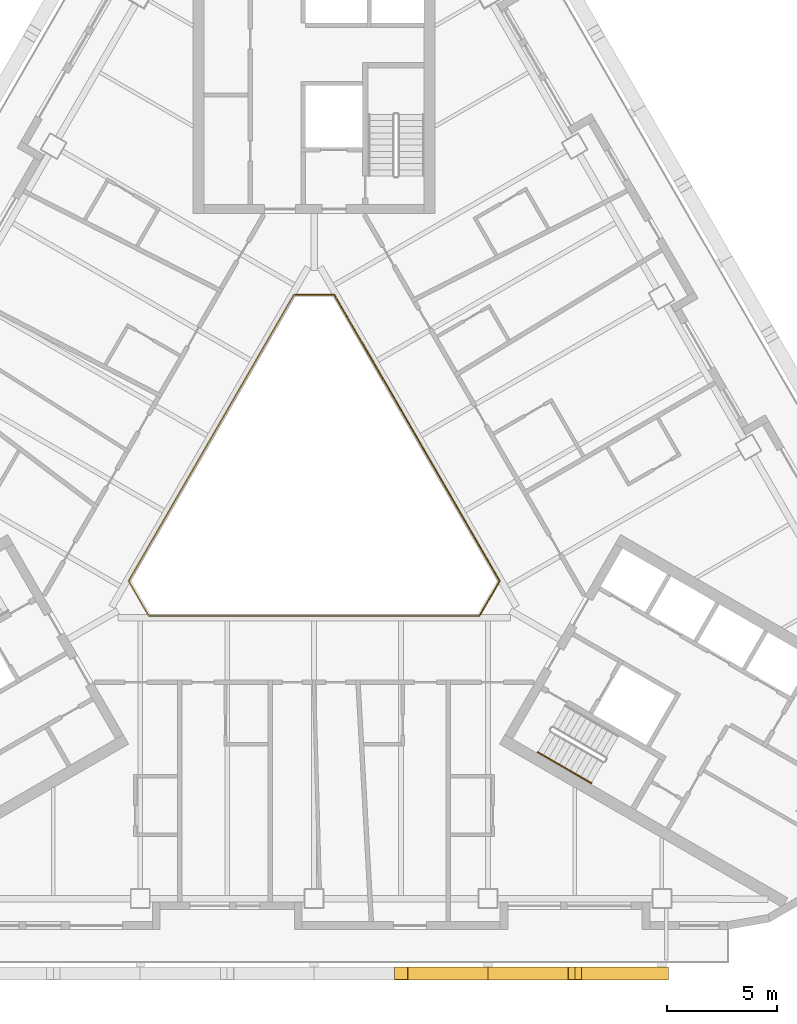
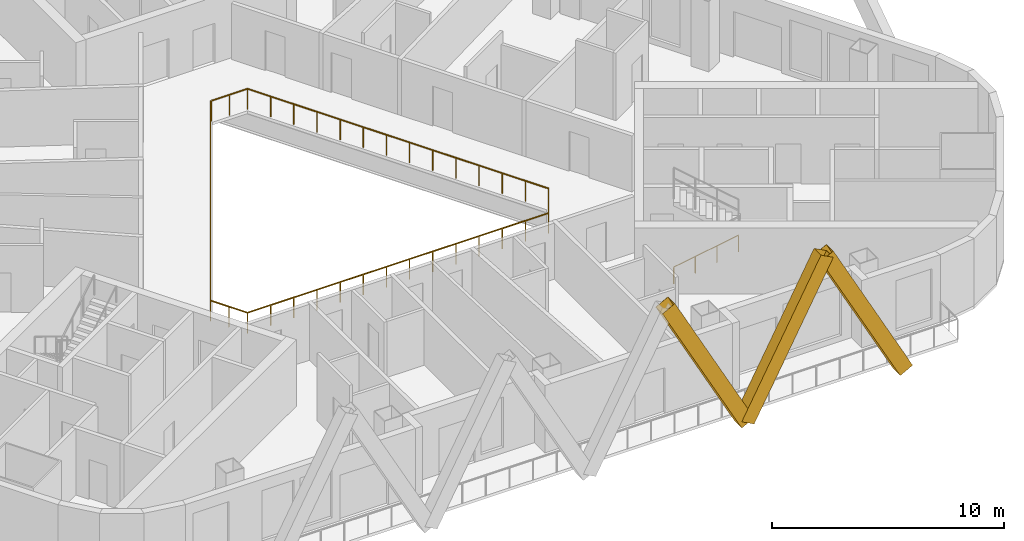
# One storey, part 11 of 14: 3 railings, 3 shading devices.
"""IFC4 building model written with IfcOpenShell, lengths in metres."""

from ifc_helpers import new_model, si_unit, direction, frame, origin, origin_2d, place, context, subcontext, project, spatial, rectangle, hollow_rectangle, circle, extrude, material, material_profile, profile_set, type_object, element, save


model = new_model("IFC4")

# Units and contexts
model_context = context("Model", 3, precision=1e-05, world=origin(), true_north=direction((0.0, 1.0)))
body_context = subcontext(model_context, "Body", "Model", "MODEL_VIEW")
ifc_project = project(units=[si_unit("LENGTHUNIT", "METRE"), si_unit("AREAUNIT", "SQUARE_METRE"), si_unit("VOLUMEUNIT", "CUBIC_METRE"), si_unit("PLANEANGLEUNIT", "RADIAN"), si_unit("MASSUNIT", "GRAM", prefix="KILO")], contexts=[model_context])

# Site, building, storey
site_placement = place(None, origin())
site = spatial("IfcSite", under=ifc_project, at=site_placement, CompositionType="ELEMENT")
building_placement = place(site_placement, origin())
building = spatial("IfcBuilding", under=site, at=building_placement, Name="Apuvela Tower Hotel", CompositionType="ELEMENT")
storey_placement = place(building_placement, frame((0.0, 0.0, 90.89990234375)))
storey = spatial("IfcBuildingStorey", under=building, at=storey_placement, Name="L20", CompositionType="ELEMENT", Elevation=90.89990234375)

# Railing
ifc_material_1 = material(Name="Stainless steel 316 handrail", Category="steel")
railing_type_1 = type_object("IfcRailingType", Name="COR-HANDRAIL-900", PredefinedType="HANDRAIL", material=ifc_material_1)
railing_1_placement = place(storey_placement, frame((10.1689453125, -11.5869140625, 0.168212890625)))
element("IfcRailing", 1, at=railing_1_placement, inside=storey, type_object=railing_type_1, Name="L20 ST3 stair handrail 1", PredefinedType="HANDRAIL", context=body_context, shape_type="SweptSolid", body=[
    extrude(circle(Radius=0.02392578125, at=origin_2d()), frame((0.0, 0.0, 0.8759765625), z_axis=(0.742390482028, -0.42860119049, 0.514934356695), x_axis=(0.49998411664, 0.866034573852, 0.0)), (0.0, 0.0, 1.0), 3.26611328125),
    extrude(rectangle(XDim=0.0419921875, YDim=0.0419921875, at=origin_2d()), origin(), (0.0, 0.0, 1.0), 0.851806640625),
    extrude(rectangle(XDim=0.0419921875, YDim=0.0419921875, at=origin_2d()), frame((0.808349609375, -0.466552734375, 0.560546875)), (0.0, 0.0, 1.0), 0.851806640625),
    extrude(rectangle(XDim=0.0419921875, YDim=0.0419921875, at=origin_2d()), frame((1.616455078125, -0.933349609375, 1.121337890625)), (0.0, 0.0, 1.0), 0.851806640625),
    extrude(rectangle(XDim=0.0419921875, YDim=0.0419921875, at=origin_2d()), frame((2.4248046875, -1.39990234375, 1.681884765625)), (0.0, 0.0, 1.0), 0.851806640625),
])

# Shading devices
ifc_material_2 = material(Name="Aluminium 6063-T6, black anodised", Category="aluminium")
ifc_material_profile = material_profile(ifc_material_2, hollow_rectangle(XDim=0.60009765625, YDim=0.699951171875, WallThickness=0.011962890625, at=origin_2d()), Name="AL BOX 700x600x12")
ifc_profile_set = profile_set([ifc_material_profile], Name="Aluminium 6063-T6, black anodised")
shading_device_type = type_object("IfcShadingDeviceType", Name="ENV-FIN-700x600", PredefinedType="USERDEFINED", material=ifc_profile_set)
for number, where, z_axis, x_axis, name in (
    (2, (7.89990234375, -21.6298828125, -0.099853515625), (-0.470897892863, 0.0, 0.882187720668), (0.0, -1.0, 0.0), "Lattice fin S150"),
    (3, (7.89990234375, -21.6298828125, -0.099853515625), (0.470920543904, 0.0, 0.882175629526), (0.0, 1.0, 0.0), "Lattice fin S151"),
    (4, (15.800048828125, -21.6298828125, -0.099853515625), (-0.470897892863, 0.0, 0.882187720668), (0.0, -1.0, 0.0), "Lattice fin S152"),
):
    element("IfcShadingDevice", number, at=place(storey_placement, frame(where, z_axis=z_axis, x_axis=x_axis)), inside=storey, type_object=shading_device_type, Name=name, ObjectType="FIN", PredefinedType="USERDEFINED", context=body_context, shape_type="SweptSolid", body=[
        extrude(hollow_rectangle(XDim=0.60009765625, YDim=0.699951171875, WallThickness=0.011962890625, at=origin_2d()), origin(), (0.0, 0.0, 1.0), 8.38818359375),
    ])

# Railings
ifc_material_3 = material(Name="Stainless steel 316 rail with laminated glass infill", Category="steel")
railing_type_2 = type_object("IfcRailingType", Name="ENV-GUARD-1100", PredefinedType="GUARDRAIL", material=ifc_material_3)
railing_2_placement = place(storey_placement, frame((-0.923828125, 9.199951171875, 0.0)))
element("IfcRailing", 5, at=railing_2_placement, inside=storey, type_object=railing_type_2, Name="Atrium void guard A L20", PredefinedType="GUARDRAIL", context=body_context, shape_type="SweptSolid", body=[
    extrude(rectangle(XDim=0.050048828125, YDim=0.050048828125, at=origin_2d()), frame((0.0, 0.0, 1.0751953125), z_axis=(-0.499990886379, -0.866030665472, 0.0), x_axis=(0.866030665472, -0.499990886379, 0.0)), (0.0, 0.0, 1.0), 15.010986328125),
    extrude(rectangle(XDim=0.050048828125, YDim=0.050048828125, at=origin_2d()), frame((-7.50537109375, -13.0, 1.0751953125), z_axis=(0.499962699187, -0.866046938348, 0.0), x_axis=(0.866046938348, 0.499962699187, 0.0)), (0.0, 0.0, 1.0), 1.847412109375),
    extrude(rectangle(XDim=0.050048828125, YDim=0.050048828125, at=origin_2d()), frame((-6.581787109375, -14.599853515625, 1.0751953125), z_axis=(1.0, 0.0, 0.0), x_axis=(0.0, 1.0, 0.0)), (0.0, 0.0, 1.0), 15.01123046875),
    extrude(rectangle(XDim=0.0400390625, YDim=0.0400390625, at=origin_2d()), origin(), (0.0, 0.0, 1.0), 1.050048828125),
    extrude(rectangle(XDim=0.0400390625, YDim=0.0400390625, at=origin_2d()), frame((-0.577392578125, -1.0, 0.0)), (0.0, 0.0, 1.0), 1.050048828125),
    extrude(rectangle(XDim=0.0400390625, YDim=0.0400390625, at=origin_2d()), frame((-1.15478515625, -2.0, 0.0)), (0.0, 0.0, 1.0), 1.050048828125),
    extrude(rectangle(XDim=0.0400390625, YDim=0.0400390625, at=origin_2d()), frame((-1.73193359375, -3.0, 0.0)), (0.0, 0.0, 1.0), 1.050048828125),
    extrude(rectangle(XDim=0.0400390625, YDim=0.0400390625, at=origin_2d()), frame((-2.309326171875, -4.0, 0.0)), (0.0, 0.0, 1.0), 1.050048828125),
    extrude(rectangle(XDim=0.0400390625, YDim=0.0400390625, at=origin_2d()), frame((-2.88671875, -5.0, 0.0)), (0.0, 0.0, 1.0), 1.050048828125),
    extrude(rectangle(XDim=0.0400390625, YDim=0.0400390625, at=origin_2d()), frame((-3.464111328125, -6.0, 0.0)), (0.0, 0.0, 1.0), 1.050048828125),
    extrude(rectangle(XDim=0.0400390625, YDim=0.0400390625, at=origin_2d()), frame((-4.041259765625, -7.0, 0.0)), (0.0, 0.0, 1.0), 1.050048828125),
    extrude(rectangle(XDim=0.0400390625, YDim=0.0400390625, at=origin_2d()), frame((-4.61865234375, -8.0, 0.0)), (0.0, 0.0, 1.0), 1.050048828125),
    extrude(rectangle(XDim=0.0400390625, YDim=0.0400390625, at=origin_2d()), frame((-5.196044921875, -9.0, 0.0)), (0.0, 0.0, 1.0), 1.050048828125),
    extrude(rectangle(XDim=0.0400390625, YDim=0.0400390625, at=origin_2d()), frame((-5.7734375, -10.0, 0.0)), (0.0, 0.0, 1.0), 1.050048828125),
    extrude(rectangle(XDim=0.0400390625, YDim=0.0400390625, at=origin_2d()), frame((-6.3505859375, -11.0, 0.0)), (0.0, 0.0, 1.0), 1.050048828125),
    extrude(rectangle(XDim=0.0400390625, YDim=0.0400390625, at=origin_2d()), frame((-6.927978515625, -12.0, 0.0)), (0.0, 0.0, 1.0), 1.050048828125),
    extrude(rectangle(XDim=0.0400390625, YDim=0.0400390625, at=origin_2d()), frame((-7.50537109375, -13.0, 0.0)), (0.0, 0.0, 1.0), 1.050048828125),
    extrude(rectangle(XDim=0.0400390625, YDim=0.0400390625, at=origin_2d()), frame((-7.04345703125, -13.7998046875, 0.0)), (0.0, 0.0, 1.0), 1.050048828125),
    extrude(rectangle(XDim=0.0400390625, YDim=0.0400390625, at=origin_2d()), frame((-6.581787109375, -14.599853515625, 0.0)), (0.0, 0.0, 1.0), 1.050048828125),
    extrude(rectangle(XDim=0.0400390625, YDim=0.0400390625, at=origin_2d()), frame((-5.427001953125, -14.599853515625, 0.0)), (0.0, 0.0, 1.0), 1.050048828125),
    extrude(rectangle(XDim=0.0400390625, YDim=0.0400390625, at=origin_2d()), frame((-4.2724609375, -14.599853515625, 0.0)), (0.0, 0.0, 1.0), 1.050048828125),
    extrude(rectangle(XDim=0.0400390625, YDim=0.0400390625, at=origin_2d()), frame((-3.11767578125, -14.599853515625, 0.0)), (0.0, 0.0, 1.0), 1.050048828125),
    extrude(rectangle(XDim=0.0400390625, YDim=0.0400390625, at=origin_2d()), frame((-1.962890625, -14.599853515625, 0.0)), (0.0, 0.0, 1.0), 1.050048828125),
    extrude(rectangle(XDim=0.0400390625, YDim=0.0400390625, at=origin_2d()), frame((-0.808349609375, -14.599853515625, 0.0)), (0.0, 0.0, 1.0), 1.050048828125),
    extrude(rectangle(XDim=0.0400390625, YDim=0.0400390625, at=origin_2d()), frame((0.346435546875, -14.599853515625, 0.0)), (0.0, 0.0, 1.0), 1.050048828125),
    extrude(rectangle(XDim=0.0400390625, YDim=0.0400390625, at=origin_2d()), frame((1.501220703125, -14.599853515625, 0.0)), (0.0, 0.0, 1.0), 1.050048828125),
    extrude(rectangle(XDim=0.0400390625, YDim=0.0400390625, at=origin_2d()), frame((2.656005859375, -14.599853515625, 0.0)), (0.0, 0.0, 1.0), 1.050048828125),
    extrude(rectangle(XDim=0.0400390625, YDim=0.0400390625, at=origin_2d()), frame((3.810546875, -14.599853515625, 0.0)), (0.0, 0.0, 1.0), 1.050048828125),
    extrude(rectangle(XDim=0.0400390625, YDim=0.0400390625, at=origin_2d()), frame((4.96533203125, -14.599853515625, 0.0)), (0.0, 0.0, 1.0), 1.050048828125),
    extrude(rectangle(XDim=0.0400390625, YDim=0.0400390625, at=origin_2d()), frame((6.1201171875, -14.599853515625, 0.0)), (0.0, 0.0, 1.0), 1.050048828125),
    extrude(rectangle(XDim=0.0400390625, YDim=0.0400390625, at=origin_2d()), frame((7.274658203125, -14.599853515625, 0.0)), (0.0, 0.0, 1.0), 1.050048828125),
    extrude(rectangle(XDim=0.0400390625, YDim=0.0400390625, at=origin_2d()), frame((8.429443359375, -14.599853515625, 0.0)), (0.0, 0.0, 1.0), 1.050048828125),
])
railing_3_placement = place(storey_placement, frame((7.53564453125, -5.347900390625, 0.0)))
element("IfcRailing", 6, at=railing_3_placement, inside=storey, type_object=railing_type_2, Name="Atrium void guard B L20", PredefinedType="GUARDRAIL", context=body_context, shape_type="SweptSolid", body=[
    extrude(rectangle(XDim=0.050048828125, YDim=0.050048828125, at=origin_2d()), frame((0.0, 0.0, 1.0751953125), z_axis=(0.499958946799, 0.866049104564, 0.0), x_axis=(-0.866049104564, 0.499958946799, 0.0)), (0.0, 0.0, 1.0), 1.787353515625),
    extrude(rectangle(XDim=0.050048828125, YDim=0.050048828125, at=origin_2d()), frame((0.8935546875, 1.5478515625, 1.0751953125), z_axis=(-0.499990886379, 0.866030665472, 0.0), x_axis=(-0.866030665472, -0.499990886379, 0.0)), (0.0, 0.0, 1.0), 15.010986328125),
    extrude(rectangle(XDim=0.050048828125, YDim=0.050048828125, at=origin_2d()), frame((-6.61181640625, 14.5478515625, 1.0751953125), z_axis=(-1.0, 0.0, 0.0), x_axis=(0.0, -1.0, 0.0)), (0.0, 0.0, 1.0), 1.78759765625),
    extrude(rectangle(XDim=0.0400390625, YDim=0.0400390625, at=origin_2d()), origin(), (0.0, 0.0, 1.0), 1.050048828125),
    extrude(rectangle(XDim=0.0400390625, YDim=0.0400390625, at=origin_2d()), frame((0.44677734375, 0.77392578125, 0.0)), (0.0, 0.0, 1.0), 1.050048828125),
    extrude(rectangle(XDim=0.0400390625, YDim=0.0400390625, at=origin_2d()), frame((0.8935546875, 1.5478515625, 0.0)), (0.0, 0.0, 1.0), 1.050048828125),
    extrude(rectangle(XDim=0.0400390625, YDim=0.0400390625, at=origin_2d()), frame((0.316162109375, 2.5478515625, 0.0)), (0.0, 0.0, 1.0), 1.050048828125),
    extrude(rectangle(XDim=0.0400390625, YDim=0.0400390625, at=origin_2d()), frame((-0.26123046875, 3.5478515625, 0.0)), (0.0, 0.0, 1.0), 1.050048828125),
    extrude(rectangle(XDim=0.0400390625, YDim=0.0400390625, at=origin_2d()), frame((-0.83837890625, 4.5478515625, 0.0)), (0.0, 0.0, 1.0), 1.050048828125),
    extrude(rectangle(XDim=0.0400390625, YDim=0.0400390625, at=origin_2d()), frame((-1.415771484375, 5.5478515625, 0.0)), (0.0, 0.0, 1.0), 1.050048828125),
    extrude(rectangle(XDim=0.0400390625, YDim=0.0400390625, at=origin_2d()), frame((-1.9931640625, 6.5478515625, 0.0)), (0.0, 0.0, 1.0), 1.050048828125),
    extrude(rectangle(XDim=0.0400390625, YDim=0.0400390625, at=origin_2d()), frame((-2.570556640625, 7.5478515625, 0.0)), (0.0, 0.0, 1.0), 1.050048828125),
    extrude(rectangle(XDim=0.0400390625, YDim=0.0400390625, at=origin_2d()), frame((-3.147705078125, 8.5478515625, 0.0)), (0.0, 0.0, 1.0), 1.050048828125),
    extrude(rectangle(XDim=0.0400390625, YDim=0.0400390625, at=origin_2d()), frame((-3.72509765625, 9.5478515625, 0.0)), (0.0, 0.0, 1.0), 1.050048828125),
    extrude(rectangle(XDim=0.0400390625, YDim=0.0400390625, at=origin_2d()), frame((-4.302490234375, 10.5478515625, 0.0)), (0.0, 0.0, 1.0), 1.050048828125),
    extrude(rectangle(XDim=0.0400390625, YDim=0.0400390625, at=origin_2d()), frame((-4.8798828125, 11.5478515625, 0.0)), (0.0, 0.0, 1.0), 1.050048828125),
    extrude(rectangle(XDim=0.0400390625, YDim=0.0400390625, at=origin_2d()), frame((-5.45703125, 12.5478515625, 0.0)), (0.0, 0.0, 1.0), 1.050048828125),
    extrude(rectangle(XDim=0.0400390625, YDim=0.0400390625, at=origin_2d()), frame((-6.034423828125, 13.5478515625, 0.0)), (0.0, 0.0, 1.0), 1.050048828125),
    extrude(rectangle(XDim=0.0400390625, YDim=0.0400390625, at=origin_2d()), frame((-6.61181640625, 14.5478515625, 0.0)), (0.0, 0.0, 1.0), 1.050048828125),
    extrude(rectangle(XDim=0.0400390625, YDim=0.0400390625, at=origin_2d()), frame((-7.505615234375, 14.5478515625, 0.0)), (0.0, 0.0, 1.0), 1.050048828125),
    extrude(rectangle(XDim=0.0400390625, YDim=0.0400390625, at=origin_2d()), frame((-8.3994140625, 14.5478515625, 0.0)), (0.0, 0.0, 1.0), 1.050048828125),
])

save(model, "model.ifc")
